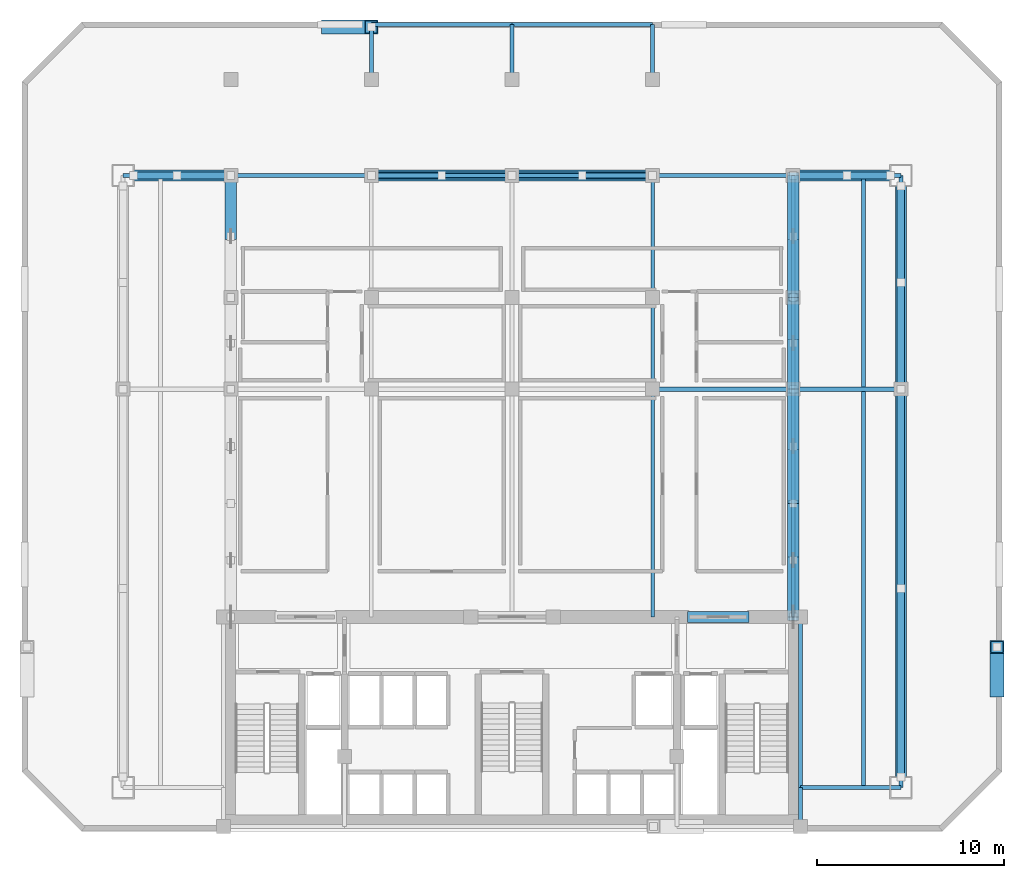
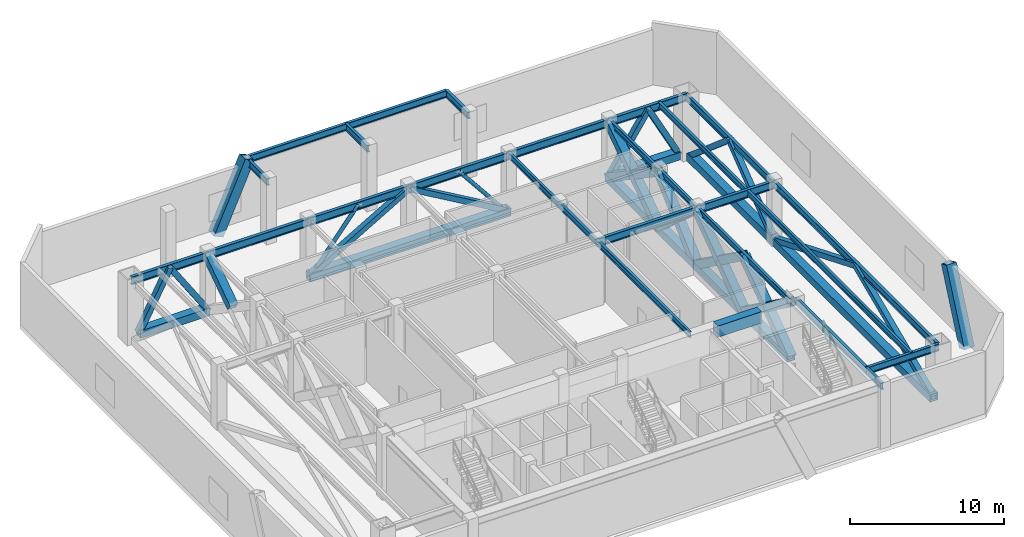
# One storey, part 2 of 10: 36 members, 25 beams.
"""IFC4 building model written with IfcOpenShell, lengths in metres."""

from ifc_helpers import new_model, si_unit, direction, frame, origin, origin_2d, place, context, subcontext, project, spatial, rectangle, hollow_rectangle, hollow_circle, i_section, extrude, material, material_profile, profile_set, type_object, element, save


model = new_model("IFC4")

# Units and contexts
model_context = context("Model", 3, precision=1e-05, world=origin(), true_north=direction((0.0, 1.0)))
body_context = subcontext(model_context, "Body", "Model", "MODEL_VIEW")
ifc_project = project(units=[si_unit("LENGTHUNIT", "METRE"), si_unit("AREAUNIT", "SQUARE_METRE"), si_unit("VOLUMEUNIT", "CUBIC_METRE"), si_unit("PLANEANGLEUNIT", "RADIAN"), si_unit("MASSUNIT", "GRAM", prefix="KILO")], contexts=[model_context])

# Site, building, storey
site_placement = place(None, origin())
site = spatial("IfcSite", under=ifc_project, at=site_placement, CompositionType="ELEMENT")
building_placement = place(site_placement, origin())
building = spatial("IfcBuilding", under=site, at=building_placement, Name="Ventersveld Concourse Tower", CompositionType="ELEMENT")
storey_placement = place(building_placement, frame((0.0, 0.0, 134.949951171875)))
storey = spatial("IfcBuildingStorey", under=building, at=storey_placement, Name="L33", CompositionType="ELEMENT", Elevation=134.949951171875)

# Members
ifc_material_1 = material(Name="Structural steel S355ML", Category="steel")
ifc_material_profile_1 = material_profile(ifc_material_1, hollow_rectangle(XDim=0.39990234375, YDim=0.39990234375, WallThickness=0.02001953125, at=origin_2d()), Name="SHS 400x400x20")
ifc_profile_set_1 = profile_set([ifc_material_profile_1], Name="Structural steel S355ML")
member_type_1 = type_object("IfcMemberType", Name="BLT-BR-400", PredefinedType="BRACE", material=ifc_profile_set_1)
member_1_placement = place(storey_placement, frame((8.56494140625, 35.0, 0.300048828125), z_axis=(0.467329385155, 0.0, 0.884083279884), x_axis=(0.0, 1.0, 0.0)))
element("IfcMember", 1, at=member_1_placement, inside=storey, type_object=member_type_1, Name="L33 Belt Truss Chevron Diagonal N1-1", PredefinedType="BRACE", context=body_context, shape_type="SweptSolid", body=[
    extrude(hollow_rectangle(XDim=0.39990234375, YDim=0.39990234375, WallThickness=0.02001953125, at=origin_2d()), origin(), (0.0, 0.0, 1.0), 4.943115234375),
])
member_2_placement = place(storey_placement, frame((13.75, 35.0, 0.300048828125), z_axis=(-0.549606215158, 0.0, 0.835423849468), x_axis=(0.0, -1.0, 0.0)))
element("IfcMember", 2, at=member_2_placement, inside=storey, type_object=member_type_1, Name="L33 Belt Truss Chevron Diagonal N1-2", PredefinedType="BRACE", context=body_context, shape_type="SweptSolid", body=[
    extrude(hollow_rectangle(XDim=0.39990234375, YDim=0.39990234375, WallThickness=0.02001953125, at=origin_2d()), origin(), (0.0, 0.0, 1.0), 5.23095703125),
])
for number, where, z_axis, x_axis, name in (
    (3, (21.25, 35.0, 0.300048828125), (0.864023624281, 0.0, 0.50345126545), (0.0, 1.0, 0.0), "L33 Belt Truss Chevron Diagonal N2-1"),
    (4, (36.25, 35.0, 0.300048828125), (-0.864023624281, 0.0, 0.50345126545), (0.0, -1.0, 0.0), "L33 Belt Truss Chevron Diagonal N2-2"),
):
    element("IfcMember", number, at=place(storey_placement, frame(where, z_axis=z_axis, x_axis=x_axis)), inside=storey, type_object=member_type_1, Name=name, PredefinedType="BRACE", context=body_context, shape_type="SweptSolid", body=[
        extrude(hollow_rectangle(XDim=0.39990234375, YDim=0.39990234375, WallThickness=0.02001953125, at=origin_2d()), origin(), (0.0, 0.0, 1.0), 8.680419921875),
    ])
member_3_placement = place(storey_placement, frame((43.75, 35.0, 0.300048828125), z_axis=(0.549606215158, 0.0, 0.835423849468), x_axis=(0.0, 1.0, 0.0)))
element("IfcMember", 5, at=member_3_placement, inside=storey, type_object=member_type_1, Name="L33 Belt Truss Chevron Diagonal N3-1", PredefinedType="BRACE", context=body_context, shape_type="SweptSolid", body=[
    extrude(hollow_rectangle(XDim=0.39990234375, YDim=0.39990234375, WallThickness=0.02001953125, at=origin_2d()), origin(), (0.0, 0.0, 1.0), 5.23095703125),
])
member_4_placement = place(storey_placement, frame((48.93505859375, 35.0, 0.300048828125), z_axis=(-0.467329385155, 0.0, 0.884083279884), x_axis=(0.0, -1.0, 0.0)))
element("IfcMember", 6, at=member_4_placement, inside=storey, type_object=member_type_1, Name="L33 Belt Truss Chevron Diagonal N3-2", PredefinedType="BRACE", context=body_context, shape_type="SweptSolid", body=[
    extrude(hollow_rectangle(XDim=0.39990234375, YDim=0.39990234375, WallThickness=0.02001953125, at=origin_2d()), origin(), (0.0, 0.0, 1.0), 4.943115234375),
])
member_5_placement = place(storey_placement, frame((49.5, 2.9150390625, 0.300048828125), z_axis=(0.0, 0.917197404981, 0.398433081327), x_axis=(-1.0, 0.0, 0.0)))
element("IfcMember", 7, at=member_5_placement, inside=storey, type_object=member_type_1, Name="L33 Belt Truss Chevron Diagonal E1-1", PredefinedType="BRACE", context=body_context, shape_type="SweptSolid", body=[
    extrude(hollow_rectangle(XDim=0.39990234375, YDim=0.39990234375, WallThickness=0.02001953125, at=origin_2d()), origin(), (0.0, 0.0, 1.0), 10.96826171875),
])
member_6_placement = place(storey_placement, frame((49.5, 23.60009765625, 0.300048828125), z_axis=(0.0, -0.92482766172, 0.380386377408), x_axis=(1.0, 0.0, 0.0)))
element("IfcMember", 8, at=member_6_placement, inside=storey, type_object=member_type_1, Name="L33 Belt Truss Chevron Diagonal E1-2", PredefinedType="BRACE", context=body_context, shape_type="SweptSolid", body=[
    extrude(hollow_rectangle(XDim=0.39990234375, YDim=0.39990234375, WallThickness=0.02001953125, at=origin_2d()), origin(), (0.0, 0.0, 1.0), 11.488525390625),
])
member_7_placement = place(storey_placement, frame((49.5, 23.60009765625, 0.300048828125), z_axis=(0.0, 0.793595966342, 0.608445102048), x_axis=(-1.0, 0.0, 0.0)))
element("IfcMember", 9, at=member_7_placement, inside=storey, type_object=member_type_1, Name="L33 Belt Truss Chevron Diagonal E2-1", PredefinedType="BRACE", context=body_context, shape_type="SweptSolid", body=[
    extrude(hollow_rectangle(XDim=0.39990234375, YDim=0.39990234375, WallThickness=0.02001953125, at=origin_2d()), origin(), (0.0, 0.0, 1.0), 7.182373046875),
])
member_8_placement = place(storey_placement, frame((49.5, 34.43505859375, 0.300048828125), z_axis=(0.0, -0.761546994211, 0.648109694117), x_axis=(1.0, 0.0, 0.0)))
element("IfcMember", 10, at=member_8_placement, inside=storey, type_object=member_type_1, Name="L33 Belt Truss Chevron Diagonal E2-2", PredefinedType="BRACE", context=body_context, shape_type="SweptSolid", body=[
    extrude(hollow_rectangle(XDim=0.39990234375, YDim=0.39990234375, WallThickness=0.02001953125, at=origin_2d()), origin(), (0.0, 0.0, 1.0), 6.742919921875),
])

# Beams
ifc_material_2 = material(Name="Structural steel S355J2", Category="steel")
ifc_material_profile_2 = material_profile(ifc_material_2, i_section(OverallWidth=0.18994140625, OverallDepth=0.453369140625, WebThickness=0.008544921875, FlangeThickness=0.0126953125, FilletRadius=0.01025390625, at=origin_2d()), Name="UB 457x191x67")
ifc_profile_set_2 = profile_set([ifc_material_profile_2], Name="Structural steel S355J2")
beam_type_1 = type_object("IfcBeamType", Name="BM-UB457", PredefinedType="BEAM", material=ifc_profile_set_2)
beam_1_placement = place(storey_placement, frame((36.25, 11.449951171875, 4.693359375), z_axis=(0.0, 1.0, 0.0), x_axis=(-1.0, 0.0, 0.0)))
element("IfcBeam", 11, at=beam_1_placement, inside=storey, type_object=beam_type_1, Name="L33 N-S Composite Floor Beam South X=36.25", PredefinedType="BEAM", context=body_context, shape_type="SweptSolid", body=[
    extrude(i_section(OverallWidth=0.18994140625, OverallDepth=0.453369140625, WebThickness=0.008544921875, FlangeThickness=0.0126953125, FilletRadius=0.01025390625, at=origin_2d()), origin(), (0.0, 0.0, 1.0), 12.150146484375),
])
beam_2_placement = place(storey_placement, frame((36.25, 23.60009765625, 4.693359375), z_axis=(0.0, 1.0, 0.0), x_axis=(-1.0, 0.0, 0.0)))
element("IfcBeam", 12, at=beam_2_placement, inside=storey, type_object=beam_type_1, Name="L33 N-S Composite Floor Beam Mid X=36.25", PredefinedType="BEAM", context=body_context, shape_type="SweptSolid", body=[
    extrude(i_section(OverallWidth=0.18994140625, OverallDepth=0.453369140625, WebThickness=0.008544921875, FlangeThickness=0.0126953125, FilletRadius=0.01025390625, at=origin_2d()), origin(), (0.0, 0.0, 1.0), 11.39990234375),
])
beam_3_placement = place(storey_placement, frame((43.75, 11.449951171875, 4.693359375), z_axis=(0.0, 1.0, 0.0), x_axis=(-1.0, 0.0, 0.0)))
element("IfcBeam", 13, at=beam_3_placement, inside=storey, type_object=beam_type_1, Name="L33 N-S Composite Floor Beam South X=43.75", PredefinedType="BEAM", context=body_context, shape_type="SweptSolid", body=[
    extrude(i_section(OverallWidth=0.18994140625, OverallDepth=0.453369140625, WebThickness=0.008544921875, FlangeThickness=0.0126953125, FilletRadius=0.01025390625, at=origin_2d()), origin(), (0.0, 0.0, 1.0), 12.150146484375),
])
beam_4_placement = place(storey_placement, frame((43.75, 23.60009765625, 4.693359375), z_axis=(0.0, 1.0, 0.0), x_axis=(-1.0, 0.0, 0.0)))
element("IfcBeam", 14, at=beam_4_placement, inside=storey, type_object=beam_type_1, Name="L33 N-S Composite Floor Beam Mid X=43.75", PredefinedType="BEAM", context=body_context, shape_type="SweptSolid", body=[
    extrude(i_section(OverallWidth=0.18994140625, OverallDepth=0.453369140625, WebThickness=0.008544921875, FlangeThickness=0.0126953125, FilletRadius=0.01025390625, at=origin_2d()), origin(), (0.0, 0.0, 1.0), 11.39990234375),
])
beam_5_placement = place(storey_placement, frame((47.5, 2.35009765625, 4.693359375), z_axis=(0.0, 1.0, 0.0), x_axis=(-1.0, 0.0, 0.0)))
element("IfcBeam", 15, at=beam_5_placement, inside=storey, type_object=beam_type_1, Name="L33 N-S Composite Floor Beam South X=47.50", PredefinedType="BEAM", context=body_context, shape_type="SweptSolid", body=[
    extrude(i_section(OverallWidth=0.18994140625, OverallDepth=0.453369140625, WebThickness=0.008544921875, FlangeThickness=0.0126953125, FilletRadius=0.01025390625, at=origin_2d()), origin(), (0.0, 0.0, 1.0), 21.15478515625),
])
beam_6_placement = place(storey_placement, frame((47.5, 23.695068359375, 4.693359375), z_axis=(0.0, 1.0, 0.0), x_axis=(-1.0, 0.0, 0.0)))
element("IfcBeam", 16, at=beam_6_placement, inside=storey, type_object=beam_type_1, Name="L33 N-S Composite Floor Beam Mid X=47.50", PredefinedType="BEAM", context=body_context, shape_type="SweptSolid", body=[
    extrude(i_section(OverallWidth=0.18994140625, OverallDepth=0.453369140625, WebThickness=0.008544921875, FlangeThickness=0.0126953125, FilletRadius=0.01025390625, at=origin_2d()), origin(), (0.0, 0.0, 1.0), 11.304931640625),
])
ifc_material_3 = material(Name="Concrete C60/75", Category="concrete")
ifc_material_profile_3 = material_profile(ifc_material_3, rectangle(XDim=0.60009765625, YDim=0.89990234375, at=origin_2d()), Name="RC 600x900")
ifc_profile_set_3 = profile_set([ifc_material_profile_3], Name="Concrete C60/75")
beam_type_2 = type_object("IfcBeamType", Name="CB-RC600x900L", PredefinedType="LINTEL", material=ifc_profile_set_3)
beam_7_placement = place(storey_placement, frame((38.10009765625, 11.449951171875, 4.469970703125), z_axis=(1.0, 0.0, 0.0), x_axis=(0.0, 1.0, 0.0)))
element("IfcBeam", 17, at=beam_7_placement, inside=storey, type_object=beam_type_2, Name="L33 Core Coupling Lintel Beam 3", PredefinedType="LINTEL", context=body_context, shape_type="SweptSolid", body=[
    extrude(rectangle(XDim=0.60009765625, YDim=0.89990234375, at=origin_2d()), origin(), (0.0, 0.0, 1.0), 3.2998046875),
])
ifc_material_profile_4 = material_profile(ifc_material_2, i_section(OverallWidth=0.2119140625, OverallDepth=0.54443359375, WebThickness=0.0126953125, FlangeThickness=0.021240234375, FilletRadius=0.0126953125, at=origin_2d()), Name="UB 533x210x122")
ifc_profile_set_4 = profile_set([ifc_material_profile_4], Name="Structural steel S355J2")
beam_type_3 = type_object("IfcBeamType", Name="GRD-UB533H", PredefinedType="T_BEAM", material=ifc_profile_set_4)
beam_8_placement = place(storey_placement, frame((44.14990234375, 0.280029296875, 4.647705078125), z_axis=(0.0, 1.0, 0.0), x_axis=(-1.0, 0.0, 0.0)))
element("IfcBeam", 18, at=beam_8_placement, inside=storey, type_object=beam_type_3, Name="L33 Core East Tie Beam S", PredefinedType="T_BEAM", context=body_context, shape_type="SweptSolid", body=[
    extrude(i_section(OverallWidth=0.2119140625, OverallDepth=0.54443359375, WebThickness=0.0126953125, FlangeThickness=0.021240234375, FilletRadius=0.0126953125, at=origin_2d()), origin(), (0.0, 0.0, 1.0), 2.070068359375),
])
beam_9_placement = place(storey_placement, frame((44.14990234375, 2.35009765625, 4.647705078125), z_axis=(0.0, 1.0, 0.0), x_axis=(-1.0, 0.0, 0.0)))
element("IfcBeam", 19, at=beam_9_placement, inside=storey, type_object=beam_type_3, Name="L33 Core East Tie Beam N", PredefinedType="T_BEAM", context=body_context, shape_type="SweptSolid", body=[
    extrude(i_section(OverallWidth=0.2119140625, OverallDepth=0.54443359375, WebThickness=0.0126953125, FlangeThickness=0.021240234375, FilletRadius=0.0126953125, at=origin_2d()), origin(), (0.0, 0.0, 1.0), 9.099853515625),
])
ifc_material_profile_5 = material_profile(ifc_material_2, i_section(OverallWidth=0.230224609375, OverallDepth=0.6171875, WebThickness=0.01318359375, FlangeThickness=0.022216796875, FilletRadius=0.0126953125, at=origin_2d()), Name="UB 610x229x140")
ifc_profile_set_5 = profile_set([ifc_material_profile_5], Name="Structural steel S355J2")
beam_type_4 = type_object("IfcBeamType", Name="GRD-UB610", PredefinedType="USERDEFINED", material=ifc_profile_set_5)
beam_10_placement = place(storey_placement, frame((36.25, 23.60009765625, 4.611328125), z_axis=(1.0, 0.0, 0.0), x_axis=(0.0, 1.0, 0.0)))
element("IfcBeam", 20, at=beam_10_placement, inside=storey, type_object=beam_type_4, Name="L33 Primary E-W Grid Girder Y=23.60 #5", ObjectType="GIRDER", PredefinedType="USERDEFINED", context=body_context, shape_type="SweptSolid", body=[
    extrude(i_section(OverallWidth=0.230224609375, OverallDepth=0.6171875, WebThickness=0.01318359375, FlangeThickness=0.022216796875, FilletRadius=0.0126953125, at=origin_2d()), origin(), (0.0, 0.0, 1.0), 7.5),
])
for number, where, z_axis, x_axis, name in (
    (21, (43.75, 23.60009765625, 4.611328125), (1.0, 0.0, 0.0), (0.0, 1.0, 0.0), "L33 Primary E-W Grid Girder Y=23.60 #6"),
    (22, (8.0, 35.0, 4.611328125), (1.0, 0.0, 0.0), (0.0, 1.0, 0.0), "L33 E-W Grid Girder Y=35.00 #1"),
):
    element("IfcBeam", number, at=place(storey_placement, frame(where, z_axis=z_axis, x_axis=x_axis)), inside=storey, type_object=beam_type_4, Name=name, ObjectType="GIRDER", PredefinedType="USERDEFINED", context=body_context, shape_type="SweptSolid", body=[
        extrude(i_section(OverallWidth=0.230224609375, OverallDepth=0.6171875, WebThickness=0.01318359375, FlangeThickness=0.022216796875, FilletRadius=0.0126953125, at=origin_2d()), origin(), (0.0, 0.0, 1.0), 5.75),
    ])
for number, where, z_axis, x_axis, name in (
    (23, (13.75, 35.0, 4.611328125), (1.0, 0.0, 0.0), (0.0, 1.0, 0.0), "L33 E-W Grid Girder Y=35.00 #2"),
    (24, (21.25, 35.0, 4.611328125), (1.0, 0.0, 0.0), (0.0, 1.0, 0.0), "L33 E-W Grid Girder Y=35.00 #3"),
    (25, (28.75, 35.0, 4.611328125), (1.0, 0.0, 0.0), (0.0, 1.0, 0.0), "L33 E-W Grid Girder Y=35.00 #4"),
    (26, (36.25, 35.0, 4.611328125), (1.0, 0.0, 0.0), (0.0, 1.0, 0.0), "L33 E-W Grid Girder Y=35.00 #5"),
):
    element("IfcBeam", number, at=place(storey_placement, frame(where, z_axis=z_axis, x_axis=x_axis)), inside=storey, type_object=beam_type_4, Name=name, ObjectType="GIRDER", PredefinedType="USERDEFINED", context=body_context, shape_type="SweptSolid", body=[
        extrude(i_section(OverallWidth=0.230224609375, OverallDepth=0.6171875, WebThickness=0.01318359375, FlangeThickness=0.022216796875, FilletRadius=0.0126953125, at=origin_2d()), origin(), (0.0, 0.0, 1.0), 7.5),
    ])
beam_11_placement = place(storey_placement, frame((43.75, 35.0, 4.611328125), z_axis=(1.0, 0.0, 0.0), x_axis=(0.0, 1.0, 0.0)))
element("IfcBeam", 27, at=beam_11_placement, inside=storey, type_object=beam_type_4, Name="L33 E-W Grid Girder Y=35.00 #6", ObjectType="GIRDER", PredefinedType="USERDEFINED", context=body_context, shape_type="SweptSolid", body=[
    extrude(i_section(OverallWidth=0.230224609375, OverallDepth=0.6171875, WebThickness=0.01318359375, FlangeThickness=0.022216796875, FilletRadius=0.0126953125, at=origin_2d()), origin(), (0.0, 0.0, 1.0), 5.75),
])

# Members
ifc_material_profile_6 = material_profile(ifc_material_1, hollow_rectangle(XDim=0.75, YDim=0.75, WallThickness=0.044921875, at=origin_2d()), Name="BOX 750x750x45")
ifc_profile_set_6 = profile_set([ifc_material_profile_6], Name="Structural steel S355ML")
member_type_2 = type_object("IfcMemberType", Name="MB-750x750", PredefinedType="BRACE", material=ifc_profile_set_6)
for number, where, z_axis, x_axis, name in (
    (28, (18.921630859375, 42.919921875, -0.349853515625), (0.40412839508, 0.0, 0.914702268659), (0.0, 1.0, 0.0), "L33 Exterior Mega-Brace N (Module M07)"),
    (29, (54.6201171875, 7.521484375, -0.349853515625), (0.0, 0.404163848321, 0.914686604095), (-1.0, 0.0, 0.0), "L33 Exterior Mega-Brace E (Module M07)"),
):
    element("IfcMember", number, at=place(storey_placement, frame(where, z_axis=z_axis, x_axis=x_axis)), inside=storey, type_object=member_type_2, Name=name, PredefinedType="BRACE", context=body_context, shape_type="SweptSolid", body=[
        extrude(hollow_rectangle(XDim=0.75, YDim=0.75, WallThickness=0.044921875, at=origin_2d()), origin(), (0.0, 0.0, 1.0), 5.761474609375),
    ])
ifc_material_profile_7 = material_profile(ifc_material_1, hollow_rectangle(XDim=0.60009765625, YDim=0.60009765625, WallThickness=0.0400390625, at=origin_2d()), Name="BOX 600x600x40")
ifc_profile_set_7 = profile_set([ifc_material_profile_7], Name="Structural steel S355ML")
member_type_3 = type_object("IfcMemberType", Name="OUT-BR-600", PredefinedType="BRACE", material=ifc_profile_set_7)
member_9_placement = place(storey_placement, frame((13.75, 31.75, 2.485107421875), z_axis=(0.0, 0.829876411596, 0.557947256895), x_axis=(-1.0, 0.0, 0.0)))
element("IfcMember", 30, at=member_9_placement, inside=storey, type_object=member_type_3, Name="L33 Outrigger Truss Split X-Diagonal W-4B2", PredefinedType="BRACE", context=body_context, shape_type="SweptSolid", body=[
    extrude(hollow_rectangle(XDim=0.60009765625, YDim=0.60009765625, WallThickness=0.0400390625, at=origin_2d()), origin(), (0.0, 0.0, 1.0), 3.916259765625),
])
member_10_placement = place(storey_placement, frame((43.75, 11.449951171875, 0.300048828125), z_axis=(0.0, 0.810638684679, 0.58554668721), x_axis=(-1.0, 0.0, 0.0)))
element("IfcMember", 31, at=member_10_placement, inside=storey, type_object=member_type_3, Name="L33 Outrigger Truss Continuous Diagonal E-1A", PredefinedType="BRACE", context=body_context, shape_type="SweptSolid", body=[
    extrude(hollow_rectangle(XDim=0.60009765625, YDim=0.60009765625, WallThickness=0.0400390625, at=origin_2d()), origin(), (0.0, 0.0, 1.0), 7.46337890625),
])
member_11_placement = place(storey_placement, frame((43.75, 11.449951171875, 4.670166015625), z_axis=(0.0, 0.810649900066, -0.585531160164), x_axis=(-1.0, 0.0, 0.0)))
element("IfcMember", 32, at=member_11_placement, inside=storey, type_object=member_type_3, Name="L33 Outrigger Truss Split X-Diagonal E-1B1", PredefinedType="BRACE", context=body_context, shape_type="SweptSolid", body=[
    extrude(hollow_rectangle(XDim=0.60009765625, YDim=0.60009765625, WallThickness=0.0400390625, at=origin_2d()), origin(), (0.0, 0.0, 1.0), 3.731689453125),
])
member_12_placement = place(storey_placement, frame((43.75, 14.47509765625, 2.485107421875), z_axis=(0.0, 0.810627468399, -0.585562214864), x_axis=(-1.0, 0.0, 0.0)))
element("IfcMember", 33, at=member_12_placement, inside=storey, type_object=member_type_3, Name="L33 Outrigger Truss Split X-Diagonal E-1B2", PredefinedType="BRACE", context=body_context, shape_type="SweptSolid", body=[
    extrude(hollow_rectangle(XDim=0.60009765625, YDim=0.60009765625, WallThickness=0.0400390625, at=origin_2d()), origin(), (0.0, 0.0, 1.0), 3.7314453125),
])
member_13_placement = place(storey_placement, frame((43.75, 17.5, 4.670166015625), z_axis=(0.0, 0.812919299661, -0.582376349313), x_axis=(-1.0, 0.0, 0.0)))
element("IfcMember", 34, at=member_13_placement, inside=storey, type_object=member_type_3, Name="L33 Outrigger Truss Continuous Diagonal E-2A", PredefinedType="BRACE", context=body_context, shape_type="SweptSolid", body=[
    extrude(hollow_rectangle(XDim=0.60009765625, YDim=0.60009765625, WallThickness=0.0400390625, at=origin_2d()), origin(), (0.0, 0.0, 1.0), 7.50390625),
])
for number, where, z_axis, x_axis, name in (
    (35, (43.75, 17.5, 0.300048828125), (0.0, 0.812919299661, 0.582376349313), (-1.0, 0.0, 0.0), "L33 Outrigger Truss Split X-Diagonal E-2B1"),
    (36, (43.75, 20.550048828125, 2.485107421875), (0.0, 0.812919299661, 0.582376349313), (-1.0, 0.0, 0.0), "L33 Outrigger Truss Split X-Diagonal E-2B2"),
):
    element("IfcMember", number, at=place(storey_placement, frame(where, z_axis=z_axis, x_axis=x_axis)), inside=storey, type_object=member_type_3, Name=name, PredefinedType="BRACE", context=body_context, shape_type="SweptSolid", body=[
        extrude(hollow_rectangle(XDim=0.60009765625, YDim=0.60009765625, WallThickness=0.0400390625, at=origin_2d()), origin(), (0.0, 0.0, 1.0), 3.751953125),
    ])
member_14_placement = place(storey_placement, frame((43.75, 23.60009765625, 0.300048828125), z_axis=(0.0, 0.746300426721, 0.665609249542), x_axis=(-1.0, 0.0, 0.0)))
element("IfcMember", 37, at=member_14_placement, inside=storey, type_object=member_type_3, Name="L33 Outrigger Truss Continuous Diagonal E-3A", PredefinedType="BRACE", context=body_context, shape_type="SweptSolid", body=[
    extrude(hollow_rectangle(XDim=0.60009765625, YDim=0.60009765625, WallThickness=0.0400390625, at=origin_2d()), origin(), (0.0, 0.0, 1.0), 6.565673828125),
])
for number, where, z_axis, x_axis, name in (
    (38, (43.75, 23.60009765625, 4.670166015625), (0.0, 0.746300426721, -0.665609249542), (-1.0, 0.0, 0.0), "L33 Outrigger Truss Split X-Diagonal E-3B1"),
    (39, (43.75, 26.050048828125, 2.485107421875), (0.0, 0.746300426721, -0.665609249542), (-1.0, 0.0, 0.0), "L33 Outrigger Truss Split X-Diagonal E-3B2"),
):
    element("IfcMember", number, at=place(storey_placement, frame(where, z_axis=z_axis, x_axis=x_axis)), inside=storey, type_object=member_type_3, Name=name, PredefinedType="BRACE", context=body_context, shape_type="SweptSolid", body=[
        extrude(hollow_rectangle(XDim=0.60009765625, YDim=0.60009765625, WallThickness=0.0400390625, at=origin_2d()), origin(), (0.0, 0.0, 1.0), 3.28271484375),
    ])
member_15_placement = place(storey_placement, frame((43.75, 28.5, 4.670166015625), z_axis=(0.0, 0.829876411596, -0.557947256895), x_axis=(-1.0, 0.0, 0.0)))
element("IfcMember", 40, at=member_15_placement, inside=storey, type_object=member_type_3, Name="L33 Outrigger Truss Continuous Diagonal E-4A", PredefinedType="BRACE", context=body_context, shape_type="SweptSolid", body=[
    extrude(hollow_rectangle(XDim=0.60009765625, YDim=0.60009765625, WallThickness=0.0400390625, at=origin_2d()), origin(), (0.0, 0.0, 1.0), 7.83251953125),
])
for number, where, z_axis, x_axis, name in (
    (41, (43.75, 28.5, 0.300048828125), (0.0, 0.829876411596, 0.557947256895), (-1.0, 0.0, 0.0), "L33 Outrigger Truss Split X-Diagonal E-4B1"),
    (42, (43.75, 31.75, 2.485107421875), (0.0, 0.829876411596, 0.557947256895), (-1.0, 0.0, 0.0), "L33 Outrigger Truss Split X-Diagonal E-4B2"),
):
    element("IfcMember", number, at=place(storey_placement, frame(where, z_axis=z_axis, x_axis=x_axis)), inside=storey, type_object=member_type_3, Name=name, PredefinedType="BRACE", context=body_context, shape_type="SweptSolid", body=[
        extrude(hollow_rectangle(XDim=0.60009765625, YDim=0.60009765625, WallThickness=0.0400390625, at=origin_2d()), origin(), (0.0, 0.0, 1.0), 3.916259765625),
    ])
ifc_material_profile_8 = material_profile(ifc_material_1, hollow_rectangle(XDim=0.60009765625, YDim=0.60009765625, WallThickness=0.0400390625, at=origin_2d()), Name="BOX 600x600x40")
ifc_profile_set_8 = profile_set([ifc_material_profile_8], Name="Structural steel S355ML")
member_type_4 = type_object("IfcMemberType", Name="OUT-CH-600", PredefinedType="CHORD", material=ifc_profile_set_8)
member_16_placement = place(storey_placement, frame((43.75, 11.449951171875, 0.300048828125), z_axis=(0.0, 1.0, 0.0), x_axis=(-1.0, 0.0, 0.0)))
element("IfcMember", 43, at=member_16_placement, inside=storey, type_object=member_type_4, Name="L33 Outrigger Truss Bottom Chord E-1", PredefinedType="CHORD", context=body_context, shape_type="SweptSolid", body=[
    extrude(hollow_rectangle(XDim=0.60009765625, YDim=0.60009765625, WallThickness=0.0400390625, at=origin_2d()), origin(), (0.0, 0.0, 1.0), 6.050048828125),
])
member_17_placement = place(storey_placement, frame((43.75, 17.5, 0.300048828125), z_axis=(0.0, 1.0, 0.0), x_axis=(-1.0, 0.0, 0.0)))
element("IfcMember", 44, at=member_17_placement, inside=storey, type_object=member_type_4, Name="L33 Outrigger Truss Bottom Chord E-2", PredefinedType="CHORD", context=body_context, shape_type="SweptSolid", body=[
    extrude(hollow_rectangle(XDim=0.60009765625, YDim=0.60009765625, WallThickness=0.0400390625, at=origin_2d()), origin(), (0.0, 0.0, 1.0), 6.10009765625),
])
member_18_placement = place(storey_placement, frame((43.75, 23.60009765625, 0.300048828125), z_axis=(0.0, 1.0, 0.0), x_axis=(-1.0, 0.0, 0.0)))
element("IfcMember", 45, at=member_18_placement, inside=storey, type_object=member_type_4, Name="L33 Outrigger Truss Bottom Chord E-3", PredefinedType="CHORD", context=body_context, shape_type="SweptSolid", body=[
    extrude(hollow_rectangle(XDim=0.60009765625, YDim=0.60009765625, WallThickness=0.0400390625, at=origin_2d()), origin(), (0.0, 0.0, 1.0), 4.89990234375),
])
member_19_placement = place(storey_placement, frame((43.75, 28.5, 0.300048828125), z_axis=(0.0, 1.0, 0.0), x_axis=(-1.0, 0.0, 0.0)))
element("IfcMember", 46, at=member_19_placement, inside=storey, type_object=member_type_4, Name="L33 Outrigger Truss Bottom Chord E-4", PredefinedType="CHORD", context=body_context, shape_type="SweptSolid", body=[
    extrude(hollow_rectangle(XDim=0.60009765625, YDim=0.60009765625, WallThickness=0.0400390625, at=origin_2d()), origin(), (0.0, 0.0, 1.0), 6.5),
])
member_20_placement = place(storey_placement, frame((8.56494140625, 35.0, 0.300048828125), z_axis=(1.0, 0.0, 0.0), x_axis=(0.0, 1.0, 0.0)))
element("IfcMember", 47, at=member_20_placement, inside=storey, type_object=member_type_4, Name="L33 Belt Truss Bottom Chord N1", PredefinedType="CHORD", context=body_context, shape_type="SweptSolid", body=[
    extrude(hollow_rectangle(XDim=0.60009765625, YDim=0.60009765625, WallThickness=0.0400390625, at=origin_2d()), origin(), (0.0, 0.0, 1.0), 5.18505859375),
])
member_21_placement = place(storey_placement, frame((21.25, 35.0, 0.300048828125), z_axis=(1.0, 0.0, 0.0), x_axis=(0.0, 1.0, 0.0)))
element("IfcMember", 48, at=member_21_placement, inside=storey, type_object=member_type_4, Name="L33 Belt Truss Bottom Chord N2", PredefinedType="CHORD", context=body_context, shape_type="SweptSolid", body=[
    extrude(hollow_rectangle(XDim=0.60009765625, YDim=0.60009765625, WallThickness=0.0400390625, at=origin_2d()), origin(), (0.0, 0.0, 1.0), 15.0),
])
member_22_placement = place(storey_placement, frame((43.75, 35.0, 0.300048828125), z_axis=(1.0, 0.0, 0.0), x_axis=(0.0, 1.0, 0.0)))
element("IfcMember", 49, at=member_22_placement, inside=storey, type_object=member_type_4, Name="L33 Belt Truss Bottom Chord N3", PredefinedType="CHORD", context=body_context, shape_type="SweptSolid", body=[
    extrude(hollow_rectangle(XDim=0.60009765625, YDim=0.60009765625, WallThickness=0.0400390625, at=origin_2d()), origin(), (0.0, 0.0, 1.0), 5.18505859375),
])
member_23_placement = place(storey_placement, frame((49.5, 2.9150390625, 0.300048828125), z_axis=(0.0, 1.0, 0.0), x_axis=(-1.0, 0.0, 0.0)))
element("IfcMember", 50, at=member_23_placement, inside=storey, type_object=member_type_4, Name="L33 Belt Truss Bottom Chord E1", PredefinedType="CHORD", context=body_context, shape_type="SweptSolid", body=[
    extrude(hollow_rectangle(XDim=0.60009765625, YDim=0.60009765625, WallThickness=0.0400390625, at=origin_2d()), origin(), (0.0, 0.0, 1.0), 20.68505859375),
])
member_24_placement = place(storey_placement, frame((49.5, 23.60009765625, 0.300048828125), z_axis=(0.0, 1.0, 0.0), x_axis=(-1.0, 0.0, 0.0)))
element("IfcMember", 51, at=member_24_placement, inside=storey, type_object=member_type_4, Name="L33 Belt Truss Bottom Chord E2", PredefinedType="CHORD", context=body_context, shape_type="SweptSolid", body=[
    extrude(hollow_rectangle(XDim=0.60009765625, YDim=0.60009765625, WallThickness=0.0400390625, at=origin_2d()), origin(), (0.0, 0.0, 1.0), 10.8349609375),
])

# Beams
ifc_material_profile_9 = material_profile(ifc_material_2, i_section(OverallWidth=0.2119140625, OverallDepth=0.54443359375, WebThickness=0.0126953125, FlangeThickness=0.021240234375, FilletRadius=0.0126953125, at=origin_2d()), Name="UB 533x210x122")
ifc_profile_set_9 = profile_set([ifc_material_profile_9], Name="Structural steel S355J2")
beam_type_5 = type_object("IfcBeamType", Name="SPD-UB533", PredefinedType="SPANDREL", material=ifc_profile_set_9)
beam_12_placement = place(storey_placement, frame((44.14990234375, 2.35009765625, 4.647705078125), z_axis=(1.0, 0.0, 0.0), x_axis=(0.0, 1.0, 0.0)))
element("IfcBeam", 52, at=beam_12_placement, inside=storey, type_object=beam_type_5, Name="L33 SE Spandrel Beam", PredefinedType="SPANDREL", context=body_context, shape_type="SweptSolid", body=[
    extrude(i_section(OverallWidth=0.2119140625, OverallDepth=0.54443359375, WebThickness=0.0126953125, FlangeThickness=0.021240234375, FilletRadius=0.0126953125, at=origin_2d()), origin(), (0.0, 0.0, 1.0), 5.35009765625),
])
beam_13_placement = place(storey_placement, frame((49.5, 2.35009765625, 4.647705078125), z_axis=(0.0, 1.0, 0.0), x_axis=(-1.0, 0.0, 0.0)))
element("IfcBeam", 53, at=beam_13_placement, inside=storey, type_object=beam_type_5, Name="L33 East Spandrel Beam S", PredefinedType="SPANDREL", context=body_context, shape_type="SweptSolid", body=[
    extrude(i_section(OverallWidth=0.2119140625, OverallDepth=0.54443359375, WebThickness=0.0126953125, FlangeThickness=0.021240234375, FilletRadius=0.0126953125, at=origin_2d()), origin(), (0.0, 0.0, 1.0), 21.25),
])
beam_14_placement = place(storey_placement, frame((49.5, 23.60009765625, 4.647705078125), z_axis=(0.0, 1.0, 0.0), x_axis=(-1.0, 0.0, 0.0)))
element("IfcBeam", 54, at=beam_14_placement, inside=storey, type_object=beam_type_5, Name="L33 East Spandrel Beam N", PredefinedType="SPANDREL", context=body_context, shape_type="SweptSolid", body=[
    extrude(i_section(OverallWidth=0.2119140625, OverallDepth=0.54443359375, WebThickness=0.0126953125, FlangeThickness=0.021240234375, FilletRadius=0.0126953125, at=origin_2d()), origin(), (0.0, 0.0, 1.0), 11.39990234375),
])
for number, where, z_axis, x_axis, name in (
    (55, (21.25, 40.1201171875, 4.647705078125), (0.0, 1.0, 0.0), (-1.0, 0.0, 0.0), "L33 Terrace Bracket W"),
    (56, (28.75, 40.1201171875, 4.647705078125), (0.0, 1.0, 0.0), (-1.0, 0.0, 0.0), "L33 Terrace Bracket C"),
    (57, (36.25, 40.1201171875, 4.647705078125), (0.0, 1.0, 0.0), (-1.0, 0.0, 0.0), "L33 Terrace Bracket E"),
):
    element("IfcBeam", number, at=place(storey_placement, frame(where, z_axis=z_axis, x_axis=x_axis)), inside=storey, type_object=beam_type_5, Name=name, PredefinedType="SPANDREL", context=body_context, shape_type="SweptSolid", body=[
        extrude(i_section(OverallWidth=0.2119140625, OverallDepth=0.54443359375, WebThickness=0.0126953125, FlangeThickness=0.021240234375, FilletRadius=0.0126953125, at=origin_2d()), origin(), (0.0, 0.0, 1.0), 2.929931640625),
    ])
for number, where, z_axis, x_axis, name in (
    (58, (21.25, 43.050048828125, 4.647705078125), (1.0, 0.0, 0.0), (0.0, 1.0, 0.0), "L33 Terrace Edge Spandrel W"),
    (59, (28.75, 43.050048828125, 4.647705078125), (1.0, 0.0, 0.0), (0.0, 1.0, 0.0), "L33 Terrace Edge Spandrel E"),
):
    element("IfcBeam", number, at=place(storey_placement, frame(where, z_axis=z_axis, x_axis=x_axis)), inside=storey, type_object=beam_type_5, Name=name, PredefinedType="SPANDREL", context=body_context, shape_type="SweptSolid", body=[
        extrude(i_section(OverallWidth=0.2119140625, OverallDepth=0.54443359375, WebThickness=0.0126953125, FlangeThickness=0.021240234375, FilletRadius=0.0126953125, at=origin_2d()), origin(), (0.0, 0.0, 1.0), 7.5),
    ])

# Members
ifc_material_profile_10 = material_profile(ifc_material_1, hollow_circle(Radius=0.136474609375, WallThickness=0.012451171875, at=origin_2d()), Name="CHS 273x12.5")
ifc_profile_set_10 = profile_set([ifc_material_profile_10], Name="Structural steel S355ML")
member_type_5 = type_object("IfcMemberType", Name="STR-SG-273", PredefinedType="STRUT", material=ifc_profile_set_10)
for number, where, z_axis, x_axis, name in (
    (60, (21.25, 35.0, 0.0), (0.626105786986, 0.0, 0.779738124951), (0.0, 1.0, 0.0), "L33 Sky Garden Base Support Strut W"),
    (61, (36.25, 35.0, 0.0), (-0.626105786986, 0.0, 0.779738124951), (0.0, -1.0, 0.0), "L33 Sky Garden Base Support Strut E"),
):
    element("IfcMember", number, at=place(storey_placement, frame(where, z_axis=z_axis, x_axis=x_axis)), inside=storey, type_object=member_type_5, Name=name, PredefinedType="STRUT", context=body_context, shape_type="SweptSolid", body=[
        extrude(hollow_circle(Radius=0.136474609375, WallThickness=0.012451171875, at=origin_2d()), origin(), (0.0, 0.0, 1.0), 5.989501953125),
    ])

save(model, "model.ifc")
